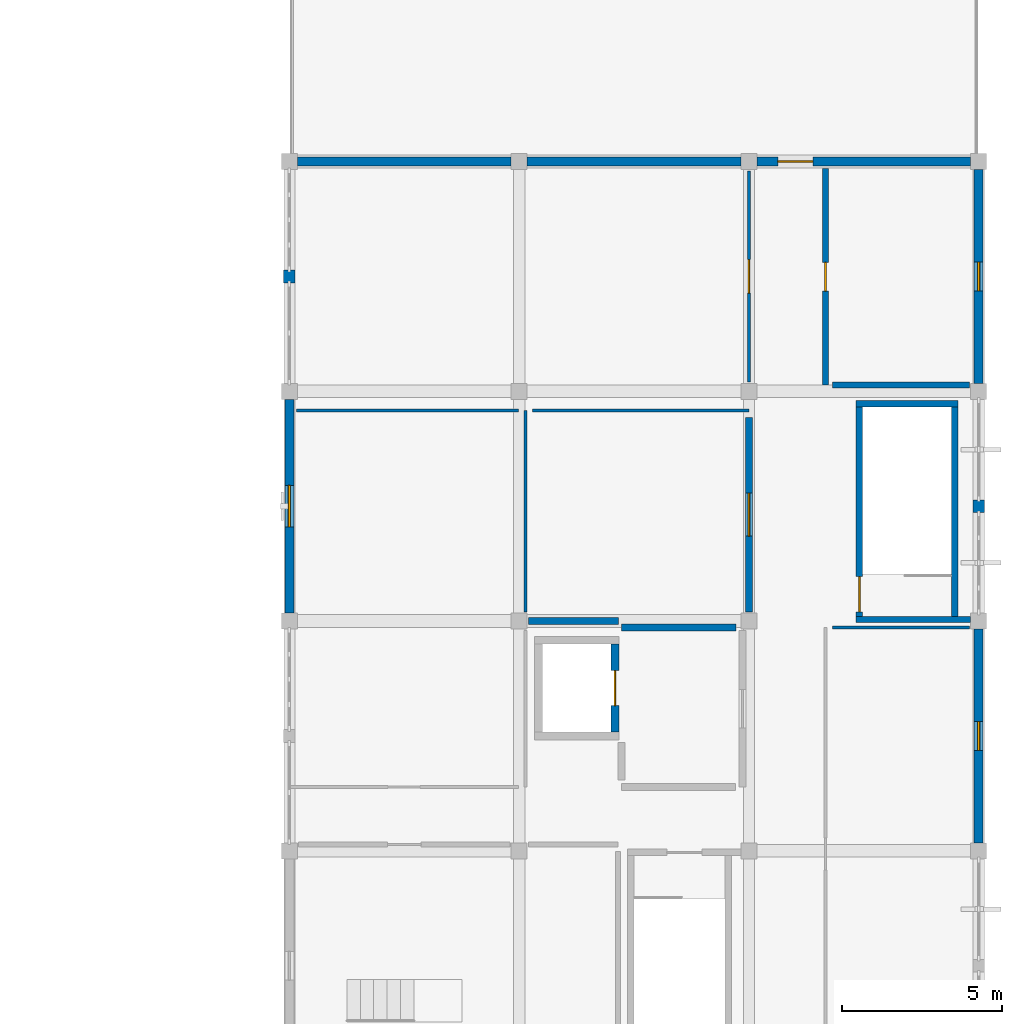
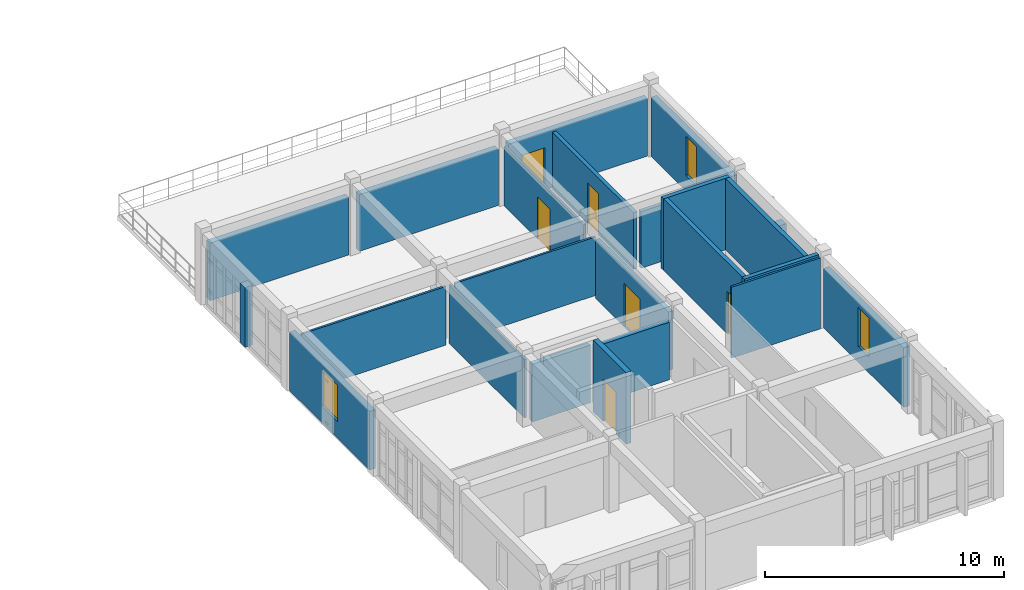
# One storey, part 11 of 14: 23 walls, 6 doors, 3 windows, 9 openings.
"""IFC4 building model written with IfcOpenShell, lengths in metres."""

from ifc_helpers import new_model, si_unit, direction, frame, frame_2d, origin, place, context, subcontext, project, spatial, rectangle, extrude, material, layer, layer_set, type_object, element, fill, save


model = new_model("IFC4")

# Units and contexts
model_context = context("Model", 3, precision=1e-05, world=origin(), true_north=direction((0.0, 1.0)))
body_context = subcontext(model_context, "Body", "Model", "MODEL_VIEW")
ifc_project = project(units=[si_unit("LENGTHUNIT", "METRE"), si_unit("AREAUNIT", "SQUARE_METRE"), si_unit("VOLUMEUNIT", "CUBIC_METRE"), si_unit("PLANEANGLEUNIT", "RADIAN"), si_unit("MASSUNIT", "GRAM", prefix="KILO")], contexts=[model_context])

# Site, building, storey
site_placement = place(None, origin())
site = spatial("IfcSite", under=ifc_project, at=site_placement, CompositionType="ELEMENT")
building_placement = place(site_placement, origin())
building = spatial("IfcBuilding", under=site, at=building_placement, Name="Koriwan Promenade Central Fire Station", CompositionType="ELEMENT")
storey_placement = place(building_placement, frame((0.0, 0.0, 21.300048828125)))
storey = spatial("IfcBuildingStorey", under=building, at=storey_placement, Name="L05", CompositionType="ELEMENT", Elevation=21.300048828125)

# Walls
ifc_material_1 = material(Name="Natural sillar sandstone ashlar", Category="masonry")
ifc_layer_1 = layer(ifc_material_1, 0.360107421875, Name="Natural sillar sandstone ashlar")
ifc_layer_set_1 = layer_set([ifc_layer_1], Name="Natural sillar sandstone ashlar")
wall_type_1 = type_object("IfcWallType", Name="ExtWall_SillarBase_360", PredefinedType="SOLIDWALL", material=ifc_layer_set_1)
wall_1_placement = place(storey_placement, frame((172.800048828125, 17.800048828125, 0.0), z_axis=(0.0, 0.0, 1.0), x_axis=(0.0, 1.0, 0.0)))
element("IfcWall", 1, at=wall_1_placement, inside=storey, type_object=wall_type_1, Name="V5 L05 sillar facade mullion pier 323", PredefinedType="SOLIDWALL", context=body_context, shape_type="SweptSolid", body=[
    extrude(rectangle(XDim=0.39990234375, YDim=0.360107421875, at=frame_2d((0.199951171875, 0.0))), origin(), (0.0, 0.0, 1.0), 2.989990234375),
])
wall_2_placement = place(storey_placement, frame((151.199951171875, 25.39990234375, 0.0), z_axis=(0.0, 0.0, 1.0), x_axis=(0.0, -1.0, 0.0)))
element("IfcWall", 2, at=wall_2_placement, inside=storey, type_object=wall_type_1, Name="V5 L05 sillar facade mullion pier 328", PredefinedType="SOLIDWALL", context=body_context, shape_type="SweptSolid", body=[
    extrude(rectangle(XDim=0.39990234375, YDim=0.360107421875, at=frame_2d((0.199951171875, 0.0))), origin(), (0.0, 0.0, 1.0), 3.0400390625),
])

# Wall, opening, window
ifc_material_2 = material(Name="Precast concrete C40/50", Category="concrete")
ifc_layer_2 = layer(ifc_material_2, 0.280029296875, Name="Precast concrete C40/50")
ifc_layer_set_2 = layer_set([ifc_layer_2], Name="Precast concrete C40/50")
wall_type_2 = type_object("IfcWallType", Name="ExtWall_Terracotta_280", PredefinedType="ELEMENTEDWALL", material=ifc_layer_set_2)
wall_3_placement = place(storey_placement, frame((172.800048828125, 7.449951171875, 0.0), z_axis=(0.0, 0.0, 1.0), x_axis=(0.0, 1.0, 0.0)))
wall_3 = element("IfcWall", 3, at=wall_3_placement, inside=storey, type_object=wall_type_2, Name="V5 L05 exterior wall 322", PredefinedType="ELEMENTEDWALL", context=body_context, shape_type="SweptSolid", body=[
    extrude(rectangle(XDim=6.699951171875, YDim=0.280029296875, at=frame_2d((3.35009765625, 0.0))), origin(), (0.0, 0.0, 1.0), 3.0400390625),
])
opening_1_placement = place(wall_3_placement, frame((2.89990234375, 0.0, 0.800048828125)))
opening_1 = element("IfcOpeningElement", 4, at=opening_1_placement, cuts=wall_3, Name="Opening W-04", PredefinedType="OPENING", context=body_context, shape_type="SweptSolid", body=[
    extrude(rectangle(XDim=0.89990234375, YDim=2.0, at=frame_2d((0.449951171875, 1.0))), frame((0.0, 0.15185546875, 0.0), z_axis=(0.0, -1.0, 0.0), x_axis=(1.0, 0.0, 0.0)), (0.0, 0.0, 1.0), 0.303955078125),
])
ifc_material_3 = material(Name="Solar-control low-E laminated double glazing", Category="glass")
window_type_1 = type_object("IfcWindowType", Name="Win_HQ_900x2000", PartitioningType="SINGLE_PANEL", PredefinedType="WINDOW", material=ifc_material_3)
window_1_placement = place(opening_1_placement, origin())
window_1 = element("IfcWindow", 5, at=window_1_placement, inside=storey, type_object=window_type_1, Name="V5 L05 window 0102", OverallHeight=2.0, OverallWidth=0.89990234375, PartitioningType="SINGLE_PANEL", PredefinedType="WINDOW", context=body_context, shape_type="SweptSolid", body=[
    extrude(rectangle(XDim=0.89990234375, YDim=2.0, at=frame_2d((0.449951171875, 1.0))), frame((0.0, 0.030029296875, 0.0), z_axis=(0.0, -1.0, 0.0), x_axis=(1.0, 0.0, 0.0)), (0.0, 0.0, 1.0), 0.06005859375),
])
fill(opening_1, window_1)

wall_4_placement = place(storey_placement, frame((172.800048828125, 21.85009765625, 0.0), z_axis=(0.0, 0.0, 1.0), x_axis=(0.0, 1.0, 0.0)))
wall_4 = element("IfcWall", 6, at=wall_4_placement, inside=storey, type_object=wall_type_2, Name="V5 L05 exterior wall 324", PredefinedType="ELEMENTEDWALL", context=body_context, shape_type="SweptSolid", body=[
    extrude(rectangle(XDim=6.699951171875, YDim=0.280029296875, at=frame_2d((3.35009765625, 0.0))), origin(), (0.0, 0.0, 1.0), 3.0400390625),
])
opening_2_placement = place(wall_4_placement, frame((2.89990234375, 0.0, 0.800048828125)))
opening_2 = element("IfcOpeningElement", 7, at=opening_2_placement, cuts=wall_4, Name="Opening W-04", PredefinedType="OPENING", context=body_context, shape_type="SweptSolid", body=[
    extrude(rectangle(XDim=0.89990234375, YDim=2.0, at=frame_2d((0.449951171875, 1.0))), frame((0.0, 0.15185546875, 0.0), z_axis=(0.0, -1.0, 0.0), x_axis=(1.0, 0.0, 0.0)), (0.0, 0.0, 1.0), 0.303955078125),
])
window_2_placement = place(opening_2_placement, origin())
window_2 = element("IfcWindow", 8, at=window_2_placement, inside=storey, type_object=window_type_1, Name="V5 L05 window 0103", OverallHeight=2.0, OverallWidth=0.89990234375, PartitioningType="SINGLE_PANEL", PredefinedType="WINDOW", context=body_context, shape_type="SweptSolid", body=[
    extrude(rectangle(XDim=0.89990234375, YDim=2.0, at=frame_2d((0.449951171875, 1.0))), frame((0.0, 0.030029296875, 0.0), z_axis=(0.0, -1.0, 0.0), x_axis=(1.0, 0.0, 0.0)), (0.0, 0.0, 1.0), 0.06005859375),
])
fill(opening_2, window_2)

# Wall, opening, door
wall_5_placement = place(storey_placement, frame((172.550048828125, 28.800048828125, 0.0), z_axis=(0.0, 0.0, 1.0), x_axis=(-1.0, 0.0, 0.0)))
wall_5 = element("IfcWall", 9, at=wall_5_placement, inside=storey, type_object=wall_type_2, Name="V5 L05 exterior wall 325", PredefinedType="ELEMENTEDWALL", context=body_context, shape_type="SweptSolid", body=[
    extrude(rectangle(XDim=6.699951171875, YDim=0.280029296875, at=frame_2d((3.35009765625, 0.0))), origin(), (0.0, 0.0, 1.0), 2.93994140625),
])
opening_3_placement = place(wall_5_placement, frame((4.944091796875, 0.0, 0.0)))
opening_3 = element("IfcOpeningElement", 10, at=opening_3_placement, cuts=wall_5, Name="Opening TD-030", PredefinedType="OPENING", context=body_context, shape_type="SweptSolid", body=[
    extrude(rectangle(XDim=1.10009765625, YDim=2.14990234375, at=frame_2d((0.550048828125, 1.074951171875))), frame((0.0, 0.15185546875, 0.0), z_axis=(0.0, -1.0, 0.0), x_axis=(1.0, 0.0, 0.0)), (0.0, 0.0, 1.0), 0.303955078125),
])
ifc_material_4 = material(Name="Aluminium EN AW-6063-T6 and laminated safety glass", Category="aluminium")
door_type_1 = type_object("IfcDoorType", Name="TerraceDoor_1100x2150", OperationType="NOTDEFINED", PredefinedType="DOOR", material=ifc_material_4)
door_1_placement = place(opening_3_placement, frame((1.10009765625, 0.0, 0.0), z_axis=(0.0, 0.0, 1.0), x_axis=(-1.0, 0.0, 0.0)))
door_1 = element("IfcDoor", 11, at=door_1_placement, inside=storey, type_object=door_type_1, Name="V5 L05 Terrace Access Door TD-030", OperationType="SINGLE_SWING_RIGHT", OverallHeight=2.14990234375, OverallWidth=1.10009765625, PredefinedType="DOOR", context=body_context, shape_type="SweptSolid", body=[
    extrude(rectangle(XDim=1.10009765625, YDim=2.14990234375, at=frame_2d((0.550048828125, 1.074951171875))), frame((0.0, 0.02490234375, 0.0), z_axis=(0.0, -1.0, 0.0), x_axis=(1.0, 0.0, 0.0)), (0.0, 0.0, 1.0), 0.050048828125),
])
fill(opening_3, door_1)

# Walls
wall_6_placement = place(storey_placement, frame((165.35009765625, 28.800048828125, 0.0), z_axis=(0.0, 0.0, 1.0), x_axis=(-1.0, 0.0, 0.0)))
element("IfcWall", 12, at=wall_6_placement, inside=storey, type_object=wall_type_2, Name="V5 L05 exterior wall 326", PredefinedType="ELEMENTEDWALL", context=body_context, shape_type="SweptSolid", body=[
    extrude(rectangle(XDim=6.7001953125, YDim=0.280029296875, at=frame_2d((3.35009765625, 0.0))), origin(), (0.0, 0.0, 1.0), 2.889892578125),
])
wall_7_placement = place(storey_placement, frame((158.14990234375, 28.800048828125, 0.0), z_axis=(0.0, 0.0, 1.0), x_axis=(-1.0, 0.0, 0.0)))
element("IfcWall", 13, at=wall_7_placement, inside=storey, type_object=wall_type_2, Name="V5 L05 exterior wall 327", PredefinedType="ELEMENTEDWALL", context=body_context, shape_type="SweptSolid", body=[
    extrude(rectangle(XDim=6.699951171875, YDim=0.280029296875, at=frame_2d((3.35009765625, 0.0))), origin(), (0.0, 0.0, 1.0), 2.93994140625),
])

# Wall, opening, window
wall_8_placement = place(storey_placement, frame((151.199951171875, 21.35009765625, 0.0), z_axis=(0.0, 0.0, 1.0), x_axis=(0.0, -1.0, 0.0)))
wall_8 = element("IfcWall", 14, at=wall_8_placement, inside=storey, type_object=wall_type_2, Name="V5 L05 exterior wall 329", PredefinedType="ELEMENTEDWALL", context=body_context, shape_type="SweptSolid", body=[
    extrude(rectangle(XDim=6.7001953125, YDim=0.280029296875, at=frame_2d((3.35009765625, 0.0))), origin(), (0.0, 0.0, 1.0), 2.989990234375),
])
opening_4_placement = place(wall_8_placement, frame((2.699951171875, 0.0, 0.85009765625)))
opening_4 = element("IfcOpeningElement", 15, at=opening_4_placement, cuts=wall_8, Name="Opening W-10", PredefinedType="OPENING", context=body_context, shape_type="SweptSolid", body=[
    extrude(rectangle(XDim=1.300048828125, YDim=1.85009765625, at=frame_2d((0.64990234375, 0.925048828125))), frame((0.0, 0.15185546875, 0.0), z_axis=(0.0, -1.0, 0.0), x_axis=(1.0, 0.0, 0.0)), (0.0, 0.0, 1.0), 0.303955078125),
])
window_type_2 = type_object("IfcWindowType", Name="Win_Drill_1300x1850", PartitioningType="SINGLE_PANEL", PredefinedType="WINDOW", material=ifc_material_3)
window_3_placement = place(opening_4_placement, origin())
window_3 = element("IfcWindow", 16, at=window_3_placement, inside=storey, type_object=window_type_2, Name="V5 L05 window 0104", OverallHeight=1.85009765625, OverallWidth=1.300048828125, PartitioningType="SINGLE_PANEL", PredefinedType="WINDOW", context=body_context, shape_type="SweptSolid", body=[
    extrude(rectangle(XDim=1.300048828125, YDim=1.85009765625, at=frame_2d((0.64990234375, 0.925048828125))), frame((0.0, 0.030029296875, 0.0), z_axis=(0.0, -1.0, 0.0), x_axis=(1.0, 0.0, 0.0)), (0.0, 0.0, 1.0), 0.06005859375),
])
fill(opening_4, window_3)

# Walls
ifc_material_5 = material(Name="Gypsum board acoustic stud partition", Category="gypsum")
ifc_layer_3 = layer(ifc_material_5, 0.10009765625, Name="Gypsum board acoustic stud partition")
ifc_layer_set_3 = layer_set([ifc_layer_3], Name="Gypsum board acoustic stud partition")
wall_type_3 = type_object("IfcWallType", Name="IntWall_Drywall_100", PredefinedType="PARTITIONING", material=ifc_layer_set_3)
wall_9_placement = place(storey_placement, frame((168.219970703125, 14.199951171875, 0.0), z_axis=(0.0, 0.0, 1.0), x_axis=(1.0, 0.0, 0.0)))
element("IfcWall", 17, at=wall_9_placement, inside=storey, type_object=wall_type_3, Name="Chief Fire Officer Command Suite partition N", PredefinedType="PARTITIONING", context=body_context, shape_type="SweptSolid", body=[
    extrude(rectangle(XDim=4.2900390625, YDim=0.10009765625, at=frame_2d((2.14501953125, 0.0))), origin(), (0.0, 0.0, 1.0), 3.619873046875),
])
wall_10_placement = place(storey_placement, frame((158.60009765625, 14.68994140625, 0.0), z_axis=(0.0, 0.0, 1.0), x_axis=(0.0, 1.0, 0.0)))
element("IfcWall", 18, at=wall_10_placement, inside=storey, type_object=wall_type_3, Name="Crisis Communications and Press Room partition E", PredefinedType="PARTITIONING", context=body_context, shape_type="SweptSolid", body=[
    extrude(rectangle(XDim=6.31005859375, YDim=0.10009765625, at=frame_2d((3.155029296875, 0.0))), origin(), (0.0, 0.0, 1.0), 2.988037109375),
])
wall_11_placement = place(storey_placement, frame((151.419921875, 21.0, 0.0), z_axis=(0.0, 0.0, 1.0), x_axis=(1.0, 0.0, 0.0)))
element("IfcWall", 19, at=wall_11_placement, inside=storey, type_object=wall_type_3, Name="Crisis Communications and Press Room partition N", PredefinedType="PARTITIONING", context=body_context, shape_type="SweptSolid", body=[
    extrude(rectangle(XDim=6.9599609375, YDim=0.10009765625, at=frame_2d((3.47998046875, 0.0))), origin(), (0.0, 0.0, 1.0), 2.988037109375),
])

# Wall, opening, door
wall_12_placement = place(storey_placement, frame((165.60009765625, 21.889892578125, 0.0), z_axis=(0.0, 0.0, 1.0), x_axis=(0.0, 1.0, 0.0)))
wall_12 = element("IfcWall", 20, at=wall_12_placement, inside=storey, type_object=wall_type_3, Name="Metropolitan Tactical Planning Studio partition E", PredefinedType="PARTITIONING", context=body_context, shape_type="SweptSolid", body=[
    extrude(rectangle(XDim=6.6201171875, YDim=0.10009765625, at=frame_2d((3.31005859375, 0.0))), origin(), (0.0, 0.0, 1.0), 3.037841796875),
])
opening_5_placement = place(wall_12_placement, frame((2.784912109375, 0.0, 0.0)))
opening_5 = element("IfcOpeningElement", 21, at=opening_5_placement, cuts=wall_12, Name="Opening D-193", PredefinedType="OPENING", context=body_context, shape_type="SweptSolid", body=[
    extrude(rectangle(XDim=1.050048828125, YDim=2.14990234375, at=frame_2d((0.52490234375, 1.074951171875))), frame((0.0, 0.06201171875, 0.0), z_axis=(0.0, -1.0, 0.0), x_axis=(1.0, 0.0, 0.0)), (0.0, 0.0, 1.0), 0.1240234375),
])
ifc_material_6 = material(Name="Hardwood veneer solid-core timber", Category="wood")
door_type_2 = type_object("IfcDoorType", Name="RoomDoor_Class_1050x2150", OperationType="NOTDEFINED", PredefinedType="DOOR", material=ifc_material_6)
door_2_placement = place(opening_5_placement, origin())
door_2 = element("IfcDoor", 22, at=door_2_placement, inside=storey, type_object=door_type_2, Name="Metropolitan Tactical Planning Studio Door D-193", OperationType="SINGLE_SWING_LEFT", OverallHeight=2.14990234375, OverallWidth=1.050048828125, PredefinedType="DOOR", context=body_context, shape_type="SweptSolid", body=[
    extrude(rectangle(XDim=1.050048828125, YDim=2.14990234375, at=frame_2d((0.52490234375, 1.074951171875))), frame((0.0, 0.02490234375, 0.0), z_axis=(0.0, -1.0, 0.0), x_axis=(1.0, 0.0, 0.0)), (0.0, 0.0, 1.0), 0.050048828125),
])
fill(opening_5, door_2)

# Walls
wall_13_placement = place(storey_placement, frame((158.820068359375, 21.0, 0.0), z_axis=(0.0, 0.0, 1.0), x_axis=(1.0, 0.0, 0.0)))
element("IfcWall", 23, at=wall_13_placement, inside=storey, type_object=wall_type_3, Name="Metropolitan Tactical Planning Studio partition S", PredefinedType="PARTITIONING", context=body_context, shape_type="SweptSolid", body=[
    extrude(rectangle(XDim=6.780029296875, YDim=0.10009765625, at=frame_2d((3.39013671875, 0.0))), origin(), (0.0, 0.0, 1.0), 2.988037109375),
])
ifc_material_7 = material(Name="Concrete C35/45 compartment wall", Category="concrete")
ifc_layer_4 = layer(ifc_material_7, 0.219970703125, Name="Concrete C35/45 compartment wall")
ifc_layer_set_4 = layer_set([ifc_layer_4], Name="Concrete C35/45 compartment wall")
wall_type_4 = type_object("IfcWallType", Name="IntWall_Plant_220", PredefinedType="STANDARD", material=ifc_layer_set_4)
wall_14_placement = place(storey_placement, frame((161.60009765625, 14.199951171875, 0.0), z_axis=(0.0, 0.0, 1.0), x_axis=(1.0, 0.0, 0.0)))
element("IfcWall", 24, at=wall_14_placement, inside=storey, type_object=wall_type_4, Name="Headquarters Firefighting Lift Lobby L05 partition N", PredefinedType="STANDARD", context=body_context, shape_type="SweptSolid", body=[
    extrude(rectangle(XDim=3.599365234375, YDim=0.219970703125, at=frame_2d((1.7998046875, 0.0))), origin(), (0.0, 0.0, 1.0), 2.93798828125),
])

# Wall, opening, door
wall_15_placement = place(storey_placement, frame((165.60009765625, 14.68994140625, 0.0), z_axis=(0.0, 0.0, 1.0), x_axis=(0.0, 1.0, 0.0)))
wall_15 = element("IfcWall", 25, at=wall_15_placement, inside=storey, type_object=wall_type_4, Name="Records Archive and Tactical Plans Room partition E", PredefinedType="STANDARD", context=body_context, shape_type="SweptSolid", body=[
    extrude(rectangle(XDim=6.090087890625, YDim=0.219970703125, at=frame_2d((3.044921875, 0.0))), origin(), (0.0, 0.0, 1.0), 2.988037109375),
])
opening_6_placement = place(wall_15_placement, frame((2.3701171875, 0.0, 0.0)))
opening_6 = element("IfcOpeningElement", 26, at=opening_6_placement, cuts=wall_15, Name="Opening D-194", PredefinedType="OPENING", context=body_context, shape_type="SweptSolid", body=[
    extrude(rectangle(XDim=1.35009765625, YDim=2.199951171875, at=frame_2d((0.675048828125, 1.10009765625))), frame((0.0, 0.1220703125, 0.0), z_axis=(0.0, -1.0, 0.0), x_axis=(1.0, 0.0, 0.0)), (0.0, 0.0, 1.0), 0.243896484375),
])
ifc_material_8 = material(Name="Painted galvanized fire-door steel", Category="steel")
door_type_3 = type_object("IfcDoorType", Name="FireDoor_Plant_1350x2200", OperationType="NOTDEFINED", PredefinedType="DOOR", material=ifc_material_8)
door_3_placement = place(opening_6_placement, origin())
door_3 = element("IfcDoor", 27, at=door_3_placement, inside=storey, type_object=door_type_3, Name="Records Archive and Tactical Plans Room Door D-194", OperationType="SINGLE_SWING_RIGHT", OverallHeight=2.199951171875, OverallWidth=1.35009765625, PredefinedType="DOOR", context=body_context, shape_type="SweptSolid", body=[
    extrude(rectangle(XDim=1.35009765625, YDim=2.199951171875, at=frame_2d((0.675048828125, 1.10009765625))), frame((0.0, 0.02490234375, 0.0), z_axis=(0.0, -1.0, 0.0), x_axis=(1.0, 0.0, 0.0)), (0.0, 0.0, 1.0), 0.050048828125),
])
fill(opening_6, door_3)

# Wall
wall_16_placement = place(storey_placement, frame((158.68994140625, 14.39990234375, 0.0), z_axis=(0.0, 0.0, 1.0), x_axis=(1.0, 0.0, 0.0)))
element("IfcWall", 28, at=wall_16_placement, inside=storey, type_object=wall_type_4, Name="Records Archive and Tactical Plans Room partition S", PredefinedType="STANDARD", context=body_context, shape_type="SweptSolid", body=[
    extrude(rectangle(XDim=2.81884765625, YDim=0.219970703125, at=frame_2d((1.409423828125, 0.0))), origin(), (0.0, 0.0, 1.0), 2.93798828125),
])

# Wall, opening, door
ifc_material_9 = material(Name="Moisture-resistant sanitary chase wall", Category="gypsum")
ifc_layer_5 = layer(ifc_material_9, 0.179931640625, Name="Moisture-resistant sanitary chase wall")
ifc_layer_set_5 = layer_set([ifc_layer_5], Name="Moisture-resistant sanitary chase wall")
wall_type_5 = type_object("IfcWallType", Name="IntWall_Plumbing_180", PredefinedType="PLUMBINGWALL", material=ifc_layer_set_5)
wall_17_placement = place(storey_placement, frame((168.0, 21.800048828125, 0.0), z_axis=(0.0, 0.0, 1.0), x_axis=(0.0, 1.0, 0.0)))
wall_17 = element("IfcWall", 29, at=wall_17_placement, inside=storey, type_object=wall_type_5, Name="Executive Command Accessible WC Suite partition W", PredefinedType="PLUMBINGWALL", context=body_context, shape_type="SweptSolid", body=[
    extrude(rectangle(XDim=6.780029296875, YDim=0.179931640625, at=frame_2d((3.39013671875, 0.0))), origin(), (0.0, 0.0, 1.0), 2.887939453125),
])
opening_7_placement = place(wall_17_placement, frame((2.93994140625, 0.0, 0.0)))
opening_7 = element("IfcOpeningElement", 30, at=opening_7_placement, cuts=wall_17, Name="Opening D-195", PredefinedType="OPENING", context=body_context, shape_type="SweptSolid", body=[
    extrude(rectangle(XDim=0.89990234375, YDim=2.10009765625, at=frame_2d((0.449951171875, 1.050048828125))), frame((0.0, 0.10205078125, 0.0), z_axis=(0.0, -1.0, 0.0), x_axis=(1.0, 0.0, 0.0)), (0.0, 0.0, 1.0), 0.203857421875),
])
ifc_material_10 = material(Name="High-pressure laminate moisture-resistant core", Category="wood")
door_type_4 = type_object("IfcDoorType", Name="RoomDoor_WC_900x2100", OperationType="NOTDEFINED", PredefinedType="DOOR", material=ifc_material_10)
door_4_placement = place(opening_7_placement, origin())
door_4 = element("IfcDoor", 31, at=door_4_placement, inside=storey, type_object=door_type_4, Name="Executive Command Accessible WC Suite Door D-195", OperationType="SINGLE_SWING_LEFT", OverallHeight=2.10009765625, OverallWidth=0.89990234375, PredefinedType="DOOR", context=body_context, shape_type="SweptSolid", body=[
    extrude(rectangle(XDim=0.89990234375, YDim=2.10009765625, at=frame_2d((0.449951171875, 1.050048828125))), frame((0.0, 0.02490234375, 0.0), z_axis=(0.0, -1.0, 0.0), x_axis=(1.0, 0.0, 0.0)), (0.0, 0.0, 1.0), 0.050048828125),
])
fill(opening_7, door_4)

# Walls
wall_18_placement = place(storey_placement, frame((168.219970703125, 21.800048828125, 0.0), z_axis=(0.0, 0.0, 1.0), x_axis=(1.0, 0.0, 0.0)))
element("IfcWall", 32, at=wall_18_placement, inside=storey, type_object=wall_type_5, Name="Executive Command Accessible WC Suite partition S", PredefinedType="PLUMBINGWALL", context=body_context, shape_type="SweptSolid", body=[
    extrude(rectangle(XDim=4.2900390625, YDim=0.179931640625, at=frame_2d((2.14501953125, 0.0))), origin(), (0.0, 0.0, 1.0), 2.887939453125),
])
ifc_material_11 = material(Name="Concrete C40/50", Category="concrete")
ifc_layer_6 = layer(ifc_material_11, 0.199951171875, Name="Concrete C40/50")
ifc_layer_set_6 = layer_set([ifc_layer_6], Name="Concrete C40/50")
wall_type_6 = type_object("IfcWallType", Name="ShearWall_200", PredefinedType="SHEAR", material=ifc_layer_set_6)
wall_19_placement = place(storey_placement, frame((168.9599609375, 14.449951171875, 0.0), z_axis=(0.0, 0.0, 1.0), x_axis=(1.0, 0.0, 0.0)))
element("IfcWall", 33, at=wall_19_placement, inside=storey, type_object=wall_type_6, Name="ST27 L05 structural stair wall S", PredefinedType="SHEAR", context=body_context, shape_type="SweptSolid", body=[
    extrude(rectangle(XDim=3.590087890625, YDim=0.199951171875, at=frame_2d((1.794921875, 0.0))), origin(), (0.0, 0.0, 1.0), 3.64990234375),
])
wall_20_placement = place(storey_placement, frame((168.9599609375, 21.2099609375, 0.0), z_axis=(0.0, 0.0, 1.0), x_axis=(1.0, 0.0, 0.0)))
element("IfcWall", 34, at=wall_20_placement, inside=storey, type_object=wall_type_6, Name="ST27 L05 structural stair wall N", PredefinedType="SHEAR", context=body_context, shape_type="SweptSolid", body=[
    extrude(rectangle(XDim=3.18994140625, YDim=0.199951171875, at=frame_2d((1.594970703125, 0.0))), origin(), (0.0, 0.0, 1.0), 3.64990234375),
])

# Wall, opening, door
wall_21_placement = place(storey_placement, frame((169.06005859375, 14.550048828125, 0.0), z_axis=(0.0, 0.0, 1.0), x_axis=(0.0, 1.0, 0.0)))
wall_21 = element("IfcWall", 35, at=wall_21_placement, inside=storey, type_object=wall_type_6, Name="ST27 L05 structural stair wall W", PredefinedType="SHEAR", context=body_context, shape_type="SweptSolid", body=[
    extrude(rectangle(XDim=6.56005859375, YDim=0.199951171875, at=frame_2d((3.280029296875, 0.0))), origin(), (0.0, 0.0, 1.0), 3.64990234375),
])
opening_8_placement = place(wall_21_placement, frame((0.139892578125, 0.0, 0.0)))
opening_8 = element("IfcOpeningElement", 36, at=opening_8_placement, cuts=wall_21, Name="Opening SD-043", PredefinedType="OPENING", context=body_context, shape_type="SweptSolid", body=[
    extrude(rectangle(XDim=1.10009765625, YDim=2.14990234375, at=frame_2d((0.550048828125, 1.074951171875))), frame((0.0, 0.11181640625, 0.0), z_axis=(0.0, -1.0, 0.0), x_axis=(1.0, 0.0, 0.0)), (0.0, 0.0, 1.0), 0.223876953125),
])
door_type_5 = type_object("IfcDoorType", Name="FireDoor_Stair_1100x2150", OperationType="NOTDEFINED", PredefinedType="DOOR", material=ifc_material_8)
door_5_placement = place(opening_8_placement, frame((1.10009765625, 0.0, 0.0), z_axis=(0.0, 0.0, 1.0), x_axis=(-1.0, 0.0, 0.0)))
door_5 = element("IfcDoor", 37, at=door_5_placement, inside=storey, type_object=door_type_5, Name="Protected Stair ST27 Fire Door SD-043", OperationType="SINGLE_SWING_RIGHT", OverallHeight=2.14990234375, OverallWidth=1.10009765625, PredefinedType="DOOR", context=body_context, shape_type="SweptSolid", body=[
    extrude(rectangle(XDim=1.10009765625, YDim=2.14990234375, at=frame_2d((0.550048828125, 1.074951171875))), frame((0.0, 0.02490234375, 0.0), z_axis=(0.0, -1.0, 0.0), x_axis=(1.0, 0.0, 0.0)), (0.0, 0.0, 1.0), 0.050048828125),
])
fill(opening_8, door_5)

# Wall
wall_22_placement = place(storey_placement, frame((172.050048828125, 14.550048828125, 0.0), z_axis=(0.0, 0.0, 1.0), x_axis=(0.0, 1.0, 0.0)))
element("IfcWall", 38, at=wall_22_placement, inside=storey, type_object=wall_type_6, Name="ST27 L05 structural stair wall E", PredefinedType="SHEAR", context=body_context, shape_type="SweptSolid", body=[
    extrude(rectangle(XDim=6.56005859375, YDim=0.199951171875, at=frame_2d((3.280029296875, 0.0))), origin(), (0.0, 0.0, 1.0), 3.64990234375),
])

# Wall, opening, door
ifc_layer_7 = layer(ifc_material_11, 0.25, Name="Concrete C40/50")
ifc_layer_set_7 = layer_set([ifc_layer_7], Name="Concrete C40/50")
wall_type_7 = type_object("IfcWallType", Name="ShearWall_250", PredefinedType="SHEAR", material=ifc_layer_set_7)
wall_23_placement = place(storey_placement, frame((161.39990234375, 10.925048828125, 0.0), z_axis=(0.0, 0.0, 1.0), x_axis=(0.0, 1.0, 0.0)))
wall_23 = element("IfcWall", 39, at=wall_23_placement, inside=storey, type_object=wall_type_7, Name="LF01 shaft wall E (L05)", PredefinedType="SHEAR", context=body_context, shape_type="SweptSolid", body=[
    extrude(rectangle(XDim=2.75, YDim=0.25, at=frame_2d((1.375, 0.0))), origin(), (0.0, 0.0, 1.0), 3.64990234375),
])
opening_9_placement = place(wall_23_placement, frame((0.824951171875, 0.0, 0.0)))
opening_9 = element("IfcOpeningElement", 40, at=opening_9_placement, cuts=wall_23, Name="Opening LD-LF01-L05", PredefinedType="OPENING", context=body_context, shape_type="SweptSolid", body=[
    extrude(rectangle(XDim=1.10009765625, YDim=2.14990234375, at=frame_2d((0.550048828125, 1.074951171875))), frame((0.0, 0.136962890625, 0.0), z_axis=(0.0, -1.0, 0.0), x_axis=(1.0, 0.0, 0.0)), (0.0, 0.0, 1.0), 0.27392578125),
])
ifc_material_12 = material(Name="Stainless steel 316", Category="steel")
door_type_6 = type_object("IfcDoorType", Name="LiftDoor_Fire_1100x2150", OperationType="SLIDING_TO_LEFT", PredefinedType="DOOR", material=ifc_material_12)
door_6_placement = place(opening_9_placement, origin())
door_6 = element("IfcDoor", 41, at=door_6_placement, inside=storey, type_object=door_type_6, Name="Lift LF01 Sliding Landing Door LD-LF01-L05", OperationType="SLIDING_TO_LEFT", OverallHeight=2.14990234375, OverallWidth=1.10009765625, PredefinedType="DOOR", context=body_context, shape_type="SweptSolid", body=[
    extrude(rectangle(XDim=1.10009765625, YDim=2.14990234375, at=frame_2d((0.550048828125, 1.074951171875))), frame((0.0, 0.02490234375, 0.0), z_axis=(0.0, -1.0, 0.0), x_axis=(1.0, 0.0, 0.0)), (0.0, 0.0, 1.0), 0.050048828125),
])
fill(opening_9, door_6)

save(model, "model.ifc")
